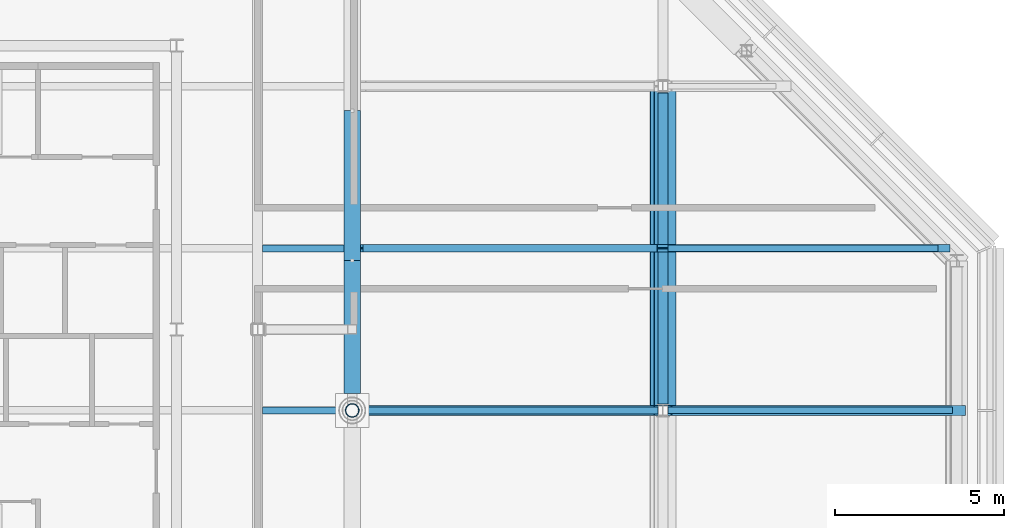
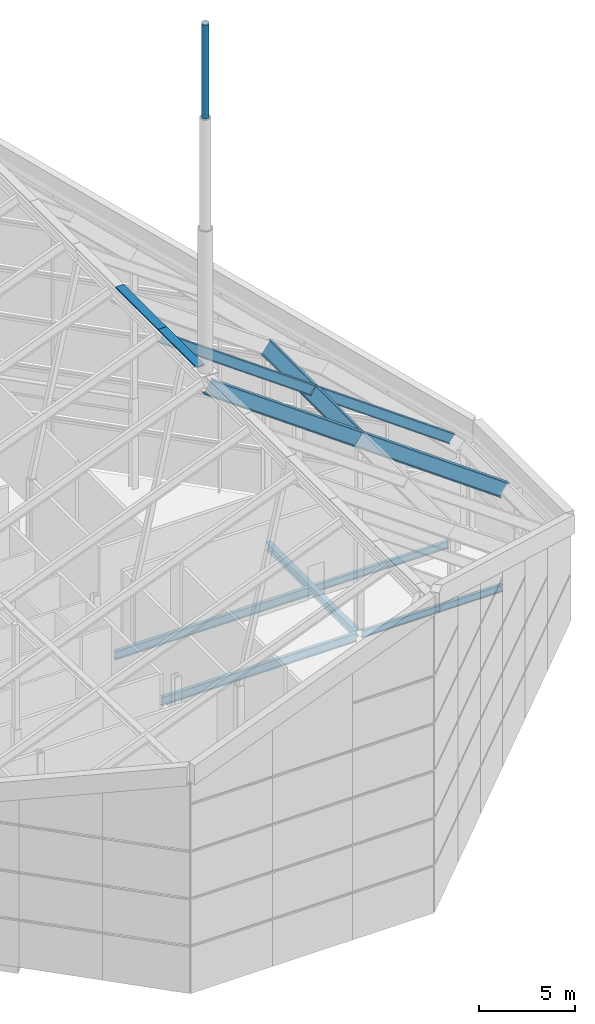
# One storey, part 7 of 21: 10 beams, 3 members.
"""IFC4 building model written with IfcOpenShell, lengths in metres."""

from ifc_helpers import new_model, si_unit, direction, frame, origin, origin_2d, place, context, subcontext, project, spatial, rectangle, hollow_circle, i_section, extrude, material, material_profile, profile_set, type_object, element, save


model = new_model("IFC4")

# Units and contexts
model_context = context("Model", 3, precision=1e-05, world=origin(), true_north=direction((0.0, 1.0)))
body_context = subcontext(model_context, "Body", "Model", "MODEL_VIEW")
ifc_project = project(units=[si_unit("LENGTHUNIT", "METRE"), si_unit("AREAUNIT", "SQUARE_METRE"), si_unit("VOLUMEUNIT", "CUBIC_METRE"), si_unit("PLANEANGLEUNIT", "RADIAN"), si_unit("MASSUNIT", "GRAM", prefix="KILO")], contexts=[model_context])

# Site, building, storey
site_placement = place(None, origin())
site = spatial("IfcSite", under=ifc_project, at=site_placement, CompositionType="ELEMENT")
building_placement = place(site_placement, origin())
building = spatial("IfcBuilding", under=site, at=building_placement, Name="Cairn Pilgrim Tower", CompositionType="ELEMENT")
storey_placement = place(building_placement, frame((0.0, 0.0, 295.800048828125)))
storey = spatial("IfcBuildingStorey", under=building, at=storey_placement, Name="L76", CompositionType="ELEMENT", Elevation=295.800048828125)

# Beams
ifc_material_1 = material(Name="Structural steel S355J2", Category="steel")
ifc_material_profile_1 = material_profile(ifc_material_1, i_section(OverallWidth=0.219970703125, OverallDepth=0.60009765625, WebThickness=0.011962890625, FlangeThickness=0.01904296875, FilletRadius=0.02392578125, at=origin_2d()), Name="IPE 600")
ifc_profile_set_1 = profile_set([ifc_material_profile_1], Name="Structural steel S355J2")
beam_type_1 = type_object("IfcBeamType", Name="CROWN RAFTER IPE 600", PredefinedType="BEAM", material=ifc_profile_set_1)
beam_1_placement = place(storey_placement, frame((22.14990234375, 4.800048828125, 18.653564453125), z_axis=(0.812268098249, 0.0, -0.583284267374), x_axis=(0.0, 1.0, 0.0)))
element("IfcBeam", 1, at=beam_1_placement, inside=storey, type_object=beam_type_1, Name="CROWN RAFTER CR-IPE600", PredefinedType="BEAM", context=body_context, shape_type="SweptSolid", body=[
    extrude(i_section(OverallWidth=0.219970703125, OverallDepth=0.60009765625, WebThickness=0.011962890625, FlangeThickness=0.01904296875, FilletRadius=0.02392578125, at=origin_2d()), origin(), (0.0, 0.0, 1.0), 11.1416015625),
])
beam_2_placement = place(storey_placement, frame((31.199951171875, 4.800048828125, 12.15478515625), z_axis=(0.812276287213, 0.0, -0.583272863446), x_axis=(0.0, 1.0, 0.0)))
element("IfcBeam", 2, at=beam_2_placement, inside=storey, type_object=beam_type_1, Name="CROWN RAFTER CR-IPE600", PredefinedType="BEAM", context=body_context, shape_type="SweptSolid", body=[
    extrude(i_section(OverallWidth=0.219970703125, OverallDepth=0.60009765625, WebThickness=0.011962890625, FlangeThickness=0.01904296875, FilletRadius=0.02392578125, at=origin_2d()), origin(), (0.0, 0.0, 1.0), 10.251708984375),
])
ifc_material_profile_2 = material_profile(ifc_material_1, i_section(OverallWidth=0.300048828125, OverallDepth=0.89990234375, WebThickness=0.0185546875, FlangeThickness=0.034912109375, FilletRadius=0.030029296875, at=origin_2d()), Name="HEB 900")
ifc_profile_set_2 = profile_set([ifc_material_profile_2], Name="Structural steel S355J2")
beam_type_2 = type_object("IfcBeamType", Name="CROWN TRANSFER GIRDER HE 900 B", PredefinedType="BEAM", material=ifc_profile_set_2)
beam_3_placement = place(storey_placement, frame((31.199951171875, 0.0, 11.97021484375), z_axis=(0.0, 1.0, 0.0), x_axis=(-0.812270883777, 0.0, 0.583280388293)))
element("IfcBeam", 3, at=beam_3_placement, inside=storey, type_object=beam_type_2, Name="CROWN TRANSFER GIRDER CT-HE900B", PredefinedType="BEAM", context=body_context, shape_type="SweptSolid", body=[
    extrude(i_section(OverallWidth=0.300048828125, OverallDepth=0.89990234375, WebThickness=0.0185546875, FlangeThickness=0.034912109375, FilletRadius=0.030029296875, at=origin_2d()), origin(), (0.0, 0.0, 1.0), 9.60009765625),
])
beam_4_placement = place(storey_placement, frame((22.14990234375, 0.0, 18.468994140625), z_axis=(0.812268098249, 0.0, -0.583284267374), x_axis=(0.0, 1.0, 0.0)))
element("IfcBeam", 4, at=beam_4_placement, inside=storey, type_object=beam_type_2, Name="CROWN TRANSFER GIRDER CT-HE900B", PredefinedType="BEAM", context=body_context, shape_type="SweptSolid", body=[
    extrude(i_section(OverallWidth=0.300048828125, OverallDepth=0.89990234375, WebThickness=0.0185546875, FlangeThickness=0.034912109375, FilletRadius=0.030029296875, at=origin_2d()), origin(), (0.0, 0.0, 1.0), 11.1416015625),
])
beam_5_placement = place(storey_placement, frame((31.199951171875, 0.0, 11.97021484375), z_axis=(0.812270843783, 0.0, -0.583280443989), x_axis=(0.0, 1.0, 0.0)))
element("IfcBeam", 5, at=beam_5_placement, inside=storey, type_object=beam_type_2, Name="CROWN TRANSFER GIRDER CT-HE900B", PredefinedType="BEAM", context=body_context, shape_type="SweptSolid", body=[
    extrude(i_section(OverallWidth=0.300048828125, OverallDepth=0.89990234375, WebThickness=0.0185546875, FlangeThickness=0.034912109375, FilletRadius=0.030029296875, at=origin_2d()), origin(), (0.0, 0.0, 1.0), 10.710693359375),
])
ifc_material_profile_3 = material_profile(ifc_material_1, i_section(OverallWidth=0.300048828125, OverallDepth=0.5, WebThickness=0.014404296875, FlangeThickness=0.028076171875, FilletRadius=0.027099609375, at=origin_2d()), Name="HEB 500")
ifc_profile_set_3 = profile_set([ifc_material_profile_3], Name="Structural steel S355J2")
beam_type_3 = type_object("IfcBeamType", Name="HEB 500 GIRDER", PredefinedType="BEAM", material=ifc_profile_set_3)
beam_6_placement = place(storey_placement, frame((31.199951171875, 0.197021484375, -0.449951171875), z_axis=(0.0, 1.0, 0.0), x_axis=(-1.0, 0.0, 0.0)))
element("IfcBeam", 6, at=beam_6_placement, inside=storey, type_object=beam_type_3, Name="PG5-3", PredefinedType="BEAM", context=body_context, shape_type="SweptSolid", body=[
    extrude(i_section(OverallWidth=0.300048828125, OverallDepth=0.5, WebThickness=0.014404296875, FlangeThickness=0.028076171875, FilletRadius=0.027099609375, at=origin_2d()), origin(), (0.0, 0.0, 1.0), 9.2060546875),
])
ifc_material_profile_4 = material_profile(ifc_material_1, i_section(OverallWidth=0.18994140625, OverallDepth=0.449951171875, WebThickness=0.009521484375, FlangeThickness=0.0146484375, FilletRadius=0.02099609375, at=origin_2d()), Name="IPE 450")
ifc_profile_set_4 = profile_set([ifc_material_profile_4], Name="Structural steel S355J2")
beam_type_4 = type_object("IfcBeamType", Name="IPE 450 SECONDARY BEAM", PredefinedType="JOIST", material=ifc_profile_set_4)
beam_7_placement = place(storey_placement, frame((31.35009765625, 0.0, -0.425048828125), z_axis=(1.0, 0.0, 0.0), x_axis=(0.0, 1.0, 0.0)))
element("IfcBeam", 7, at=beam_7_placement, inside=storey, type_object=beam_type_4, Name="SB5-3", PredefinedType="JOIST", context=body_context, shape_type="SweptSolid", body=[
    extrude(i_section(OverallWidth=0.18994140625, OverallDepth=0.449951171875, WebThickness=0.009521484375, FlangeThickness=0.0146484375, FilletRadius=0.02099609375, at=origin_2d()), origin(), (0.0, 0.0, 1.0), 8.429931640625),
])
beam_8_placement = place(storey_placement, frame((31.35009765625, 4.800048828125, -0.425048828125), z_axis=(1.0, 0.0, 0.0), x_axis=(0.0, 1.0, 0.0)))
element("IfcBeam", 8, at=beam_8_placement, inside=storey, type_object=beam_type_4, Name="SB6-3", PredefinedType="JOIST", context=body_context, shape_type="SweptSolid", body=[
    extrude(i_section(OverallWidth=0.18994140625, OverallDepth=0.449951171875, WebThickness=0.009521484375, FlangeThickness=0.0146484375, FilletRadius=0.02099609375, at=origin_2d()), origin(), (0.0, 0.0, 1.0), 7.9951171875),
])
ifc_material_profile_5 = material_profile(ifc_material_1, i_section(OverallWidth=0.2099609375, OverallDepth=0.550048828125, WebThickness=0.010986328125, FlangeThickness=0.01708984375, FilletRadius=0.02392578125, at=origin_2d()), Name="IPE 550")
ifc_profile_set_5 = profile_set([ifc_material_profile_5], Name="Structural steel S355J2")
beam_type_5 = type_object("IfcBeamType", Name="IPE 550 SECONDARY BEAM", PredefinedType="JOIST", material=ifc_profile_set_5)
for number, where, z_axis, x_axis, name in (
    (9, (19.35009765625, 0.0, -0.47509765625), (1.0, 0.0, 0.0), (0.0, 1.0, 0.0), "SB5-2"),
    (10, (19.35009765625, 4.800048828125, -0.47509765625), (1.0, 0.0, 0.0), (0.0, 1.0, 0.0), "SB6-2"),
):
    element("IfcBeam", number, at=place(storey_placement, frame(where, z_axis=z_axis, x_axis=x_axis)), inside=storey, type_object=beam_type_5, Name=name, PredefinedType="JOIST", context=body_context, shape_type="SweptSolid", body=[
        extrude(i_section(OverallWidth=0.2099609375, OverallDepth=0.550048828125, WebThickness=0.010986328125, FlangeThickness=0.01708984375, FilletRadius=0.02392578125, at=origin_2d()), origin(), (0.0, 0.0, 1.0), 11.699951171875),
    ])

# Members
ifc_material_2 = material(Name="Aluminium alloy 6063-T6 bronze anodised", Category="aluminium")
ifc_material_profile_6 = material_profile(ifc_material_2, rectangle(XDim=0.5, YDim=0.080078125, at=origin_2d()), Name="RIDGE CAP 500x80 BRONZE")
ifc_profile_set_6 = profile_set([ifc_material_profile_6], Name="Aluminium alloy 6063-T6 bronze anodised")
member_type_1 = type_object("IfcMemberType", Name="RIDGE CAP 500x80 BRONZE", PredefinedType="USERDEFINED", material=ifc_profile_set_6)
member_1_placement = place(storey_placement, frame((22.0, 0.5, 19.48046875), z_axis=(0.0, 1.0, 0.0), x_axis=(-1.0, 0.0, 0.0)))
element("IfcMember", 11, at=member_1_placement, inside=storey, type_object=member_type_1, Name="Ridge cap 7", ObjectType="RIDGE CAP", PredefinedType="USERDEFINED", context=body_context, shape_type="SweptSolid", body=[
    extrude(rectangle(XDim=0.5, YDim=0.080078125, at=origin_2d()), origin(), (0.0, 0.0, 1.0), 3.939453125),
])
member_2_placement = place(storey_placement, frame((22.0, 4.439453125, 19.48046875), z_axis=(0.0, 1.0, 0.0), x_axis=(-1.0, 0.0, 0.0)))
element("IfcMember", 12, at=member_2_placement, inside=storey, type_object=member_type_1, Name="Ridge cap 8", ObjectType="RIDGE CAP", PredefinedType="USERDEFINED", context=body_context, shape_type="SweptSolid", body=[
    extrude(rectangle(XDim=0.5, YDim=0.080078125, at=origin_2d()), origin(), (0.0, 0.0, 1.0), 4.439453125),
])
ifc_material_profile_7 = material_profile(ifc_material_1, hollow_circle(Radius=0.203125, WallThickness=0.01611328125, at=origin_2d()), Name="SPIRE MAST CHS 406x16 STEEL S355J2")
ifc_profile_set_7 = profile_set([ifc_material_profile_7], Name="Structural steel S355J2")
member_type_2 = type_object("IfcMemberType", Name="SPIRE MAST CHS 406x16 STEEL S355J2", PredefinedType="USERDEFINED", material=ifc_profile_set_7)
member_3_placement = place(storey_placement, frame((22.0, 0.0, 35.5703125), z_axis=(0.0, 0.0, 1.0), x_axis=(1.0, 0.0, 0.0)))
element("IfcMember", 13, at=member_3_placement, inside=storey, type_object=member_type_2, Name="SPIRE", ObjectType="SPIRE", PredefinedType="USERDEFINED", context=body_context, shape_type="SweptSolid", body=[
    extrude(hollow_circle(Radius=0.203125, WallThickness=0.01611328125, at=origin_2d()), origin(), (0.0, 0.0, 1.0), 5.9599609375),
])

save(model, "model.ifc")
